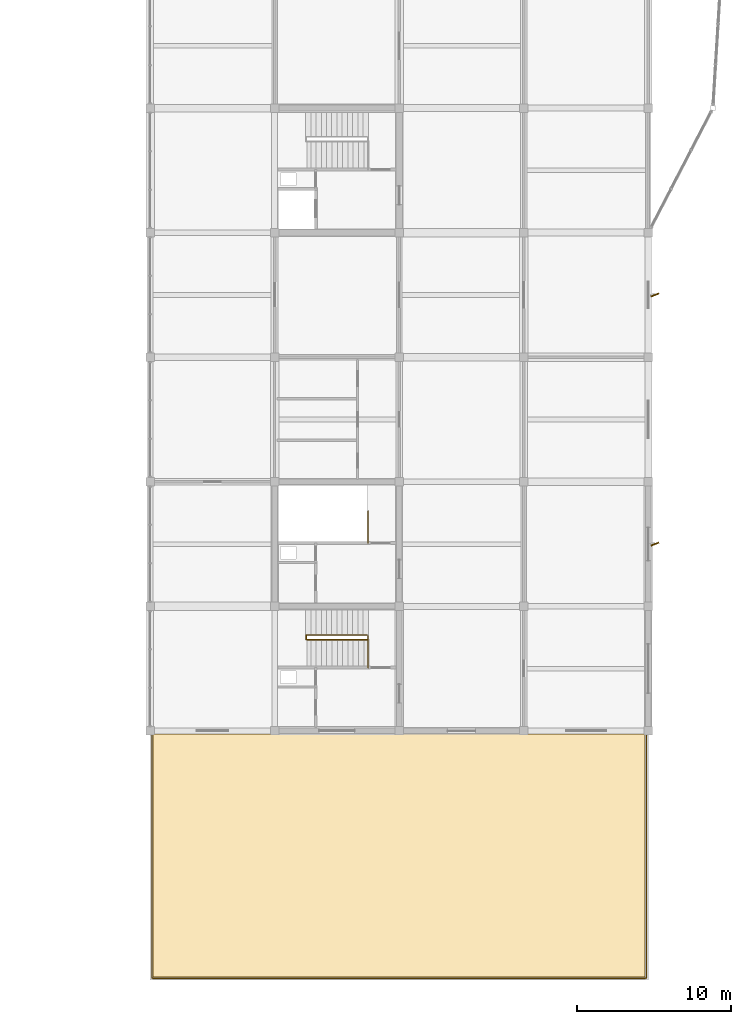
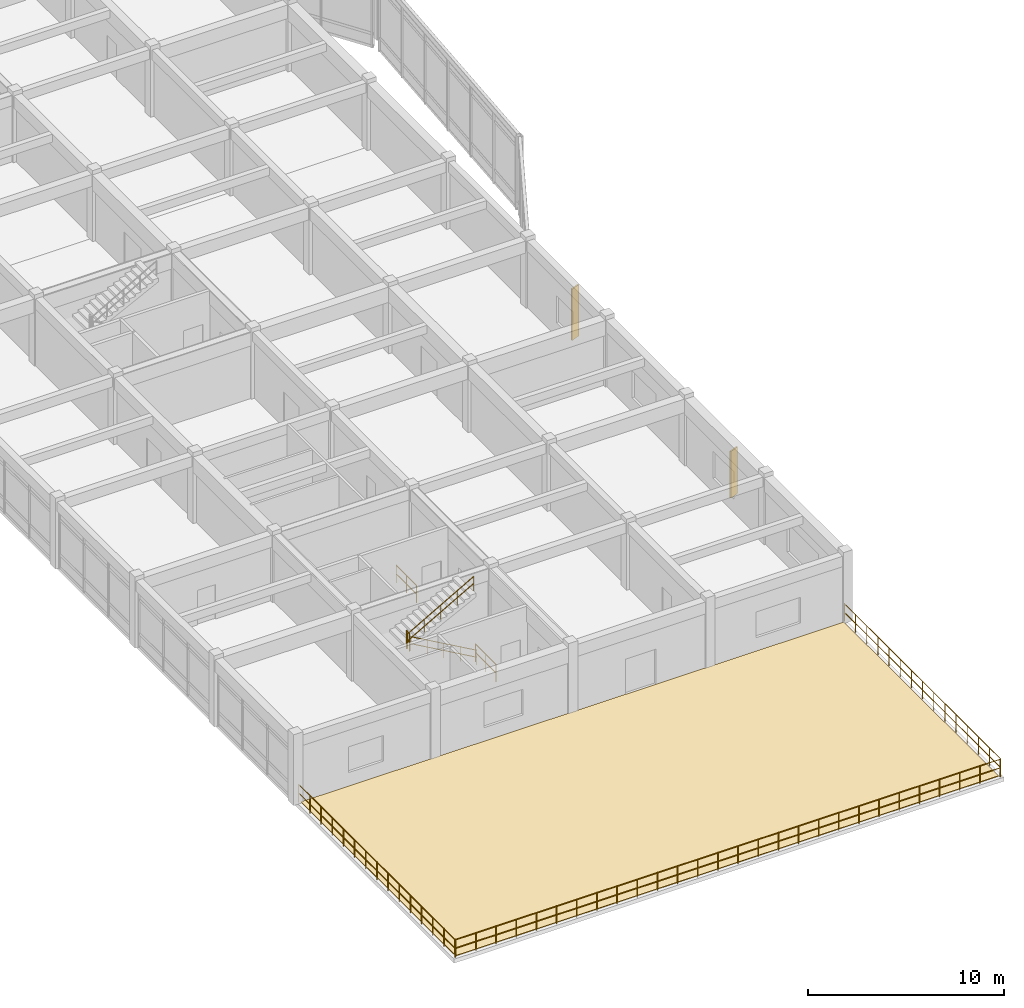
# One storey, part 32 of 33: 8 railings, 2 shading devices, 1 covering.
"""IFC4 building model written with IfcOpenShell, lengths in metres."""

import ifcopenshell
import ifcopenshell.guid

model = None  # the IFC model being written
_history = None  # IfcOwnerHistory: only IFC2X3 demands one
_inside = {}  # id of a spatial element -> (the spatial element, [elements in it])
_under = {}  # id of a project, library or spatial element -> (it, [spatial elements below it])
_declared = {}  # id of a project -> (the project, [libraries it declares])
_typed = {}  # id of a type object -> (the type object, [elements of that type])
_made_of = {}  # id of a material, layer set ... -> (it, [elements and type objects made of it])


def new_model(schema):
    """Start an empty IFC model of exactly this schema.

    Asked for "IFC4X3", IfcOpenShell would pick the latest addendum, in which some entities
    have other attributes; the version numbers below select the first issue.
    IFC2X3 requires an IfcOwnerHistory on every rooted entity: one is made here for all.
    """
    global model, _history
    if schema == "IFC4X3":
        model = ifcopenshell.file(schema_version=(4, 3, 0, 0))
    else:
        model = ifcopenshell.file(schema=schema)
    _inside.clear()
    _under.clear()
    _declared.clear()
    _typed.clear()
    _made_of.clear()
    _history = None
    if model.schema == "IFC2X3":
        org = make("IfcOrganization", Name="unknown")
        user = make(
            "IfcPersonAndOrganization",
            ThePerson=make("IfcPerson", FamilyName="unknown"),
            TheOrganization=org,
        )
        app = make(
            "IfcApplication",
            ApplicationDeveloper=org,
            Version="unknown",
            ApplicationFullName="unknown",
            ApplicationIdentifier="unknown",
        )
        _history = make(
            "IfcOwnerHistory",
            OwningUser=user,
            OwningApplication=app,
            ChangeAction="ADDED",
            CreationDate=0,
        )
    return model


def make(cls, **values):
    """One entity of the class cls with the attributes given. An attribute that is None is left unset."""
    return model.create_entity(
        cls, **{name: value for name, value in values.items() if value is not None}
    )


def rooted(cls, **values):
    """An entity with a GlobalId (a new one), such as an element, a storey or a relation."""
    return make(cls, GlobalId=ifcopenshell.guid.new(), OwnerHistory=_history, **values)


def si_unit(unit_type, name, prefix=None):
    """IfcSIUnit, for example si_unit("LENGTHUNIT", "METRE", prefix="MILLI")."""
    return make("IfcSIUnit", UnitType=unit_type, Prefix=prefix, Name=name)


def assignment(units):
    """IfcUnitAssignment: the units of a project."""
    return None if units is None else make("IfcUnitAssignment", Units=units)


def point(xyz):
    """IfcCartesianPoint."""
    return None if xyz is None else make("IfcCartesianPoint", Coordinates=xyz)


def direction(xyz):
    """IfcDirection."""
    return None if xyz is None else make("IfcDirection", DirectionRatios=xyz)


def frame(location, z_axis=None, x_axis=None):
    """IfcAxis2Placement3D, a coordinate frame: its origin and axes. An axis left out is left unset."""
    return make(
        "IfcAxis2Placement3D",
        Location=point(location),
        Axis=direction(z_axis),
        RefDirection=direction(x_axis),
    )


def frame_2d(location, x_axis=None):
    """IfcAxis2Placement2D, a coordinate frame in the plane: its origin and x axis."""
    return make(
        "IfcAxis2Placement2D", Location=point(location), RefDirection=direction(x_axis)
    )


def origin():
    """The frame at (0, 0, 0) with its axes left unset."""
    return frame((0.0, 0.0, 0.0))


def origin_2d():
    """The frame at (0, 0) in the plane with its x axis left unset."""
    return frame_2d((0.0, 0.0))


def place(relative_to, where):
    """IfcLocalPlacement: puts the frame where relative to a parent placement (None: the world)."""
    return make(
        "IfcLocalPlacement", PlacementRelTo=relative_to, RelativePlacement=where
    )


def context(
    kind, dimensions, precision=None, world=None, true_north=None, identifier=None
):
    """IfcGeometricRepresentationContext, for example the 3D "Model" context."""
    return make(
        "IfcGeometricRepresentationContext",
        ContextIdentifier=identifier,
        ContextType=kind,
        CoordinateSpaceDimension=dimensions,
        Precision=precision,
        WorldCoordinateSystem=world,
        TrueNorth=true_north,
    )


def subcontext(parent, identifier, kind, view, scale=None):
    """IfcGeometricRepresentationSubContext, for example "Body" below "Model"."""
    return make(
        "IfcGeometricRepresentationSubContext",
        ContextIdentifier=identifier,
        ContextType=kind,
        ParentContext=parent,
        TargetScale=scale,
        TargetView=view,
    )


def project(units=None, contexts=None):
    """IfcProject with its units and contexts."""
    return rooted(
        "IfcProject",
        Name="project",
        RepresentationContexts=contexts,
        UnitsInContext=assignment(units),
    )


def spatial(cls, under=None, at=None, **own):
    """A site, building, storey or space (cls), placed at a placement, below another one or the project."""
    s = rooted(cls, ObjectPlacement=at, **own)
    if under is not None:
        _under.setdefault(under.id(), (under, []))[1].append(s)
    return s


def polyline(points):
    """IfcPolyline through the points."""
    return make("IfcPolyline", Points=[point(p) for p in points])


def profile(cls, at=None, kind="AREA", **sizes):
    """A parametric profile (cls). Its sizes go by their IFC names, for example OverallWidth=200.0."""
    return make(cls, ProfileType=kind, Position=at, **sizes)


def rectangle(**sizes):
    """IfcRectangleProfileDef."""
    return profile("IfcRectangleProfileDef", **sizes)


def circle(**sizes):
    """IfcCircleProfileDef."""
    return profile("IfcCircleProfileDef", **sizes)


def outline(outer, holes=None, kind="AREA"):
    """IfcArbitraryClosedProfileDef: a profile drawn as a closed curve; with holes, ...WithVoids."""
    if holes is None:
        return make("IfcArbitraryClosedProfileDef", ProfileType=kind, OuterCurve=outer)
    return make(
        "IfcArbitraryProfileDefWithVoids",
        ProfileType=kind,
        OuterCurve=outer,
        InnerCurves=holes,
    )


def extrude(swept, where, along, depth):
    """IfcExtrudedAreaSolid: the profile swept, set in the frame where, extruded along a direction by depth."""
    return make(
        "IfcExtrudedAreaSolid",
        SweptArea=swept,
        Position=where,
        ExtrudedDirection=direction(along),
        Depth=depth,
    )


def shape(context_of_items, identifier, shape_type, items):
    """IfcShapeRepresentation: the items that make up one representation, for example the "Body"."""
    return make(
        "IfcShapeRepresentation",
        ContextOfItems=context_of_items,
        RepresentationIdentifier=identifier,
        RepresentationType=shape_type,
        Items=items,
    )


def material(Name=None, Category=None):
    """IfcMaterial."""
    return make("IfcMaterial", Name=Name, Category=Category)


def layer(
    of_material, thickness, ventilated=None, Name=None, Category=None, Priority=None
):
    """IfcMaterialLayer: one layer of a wall or slab, of a material (None: an air gap)."""
    return make(
        "IfcMaterialLayer",
        Material=of_material,
        LayerThickness=thickness,
        IsVentilated=ventilated,
        Name=Name,
        Category=Category,
        Priority=Priority,
    )


def layer_set(layers, Name=None):
    """IfcMaterialLayerSet."""
    return make("IfcMaterialLayerSet", MaterialLayers=layers, LayerSetName=Name)


def made_of(thing, what):
    """Note that an element or type object is made of a material, layer set ...; save() writes the relation."""
    if what is not None:
        _made_of.setdefault(what.id(), (what, []))[1].append(thing)
    return thing


def type_object(cls, material=None, **own):
    """A type object (cls), such as IfcWallType, which elements share."""
    return made_of(rooted(cls, **own), material)


def element(
    cls,
    number,
    at=None,
    inside=None,
    cuts=None,
    type_object=None,
    material=None,
    context=None,
    identifier="Body",
    shape_type=None,
    held_by="IfcProductDefinitionShape",
    body=None,
    shapes=None,
    **own,
):
    """One element of the class cls, such as IfcWall. Its Tag is "e" and its number.

    at: its placement. inside: the storey or other place that contains it. cuts: it is an
    opening in that element (IfcRelVoidsElement). A single representation is given by context,
    identifier, shape_type and body (its items); several are given by shapes. held_by: the class
    of the entity that holds the representations. save() writes the other relations.
    """
    e = rooted(cls, Tag="e%d" % number, ObjectPlacement=at, **own)
    if body is not None:
        shapes = [shape(context, identifier, shape_type, body)]
    if shapes is not None:
        e.Representation = make(held_by, Representations=shapes)
    if inside is not None:
        _inside.setdefault(inside.id(), (inside, []))[1].append(e)
    if cuts is not None:
        rooted(
            "IfcRelVoidsElement", RelatingBuildingElement=cuts, RelatedOpeningElement=e
        )
    if type_object is not None:
        _typed.setdefault(type_object.id(), (type_object, []))[1].append(e)
    return made_of(e, material)


def aggregate(whole, parts):
    """IfcRelAggregates: a whole, such as a stair, and the parts it consists of."""
    return rooted("IfcRelAggregates", RelatingObject=whole, RelatedObjects=parts)


def save(model, path):
    """Write the relations noted so far, then the file.

    IfcRelAggregates (storeys below a building ...), IfcRelContainedInSpatialStructure (elements
    in a storey), IfcRelDefinesByType, IfcRelAssociatesMaterial and IfcRelDeclares: one each for
    every whole, place, type object, material and project.
    """
    for whole, parts in _under.values():
        aggregate(whole, parts)
    for where, things in _inside.values():
        rooted(
            "IfcRelContainedInSpatialStructure",
            RelatedElements=things,
            RelatingStructure=where,
        )
    for kind, things in _typed.values():
        rooted("IfcRelDefinesByType", RelatedObjects=things, RelatingType=kind)
    for what, things in _made_of.values():
        rooted("IfcRelAssociatesMaterial", RelatedObjects=things, RelatingMaterial=what)
    for by, libraries in _declared.values():
        rooted("IfcRelDeclares", RelatingContext=by, RelatedDefinitions=libraries)
    model.write(path)


model = new_model("IFC4")

# Units and contexts
model_context = context("Model", 3, precision=1e-05, world=origin(), true_north=direction((0.0, 1.0)))
body_context = subcontext(model_context, "Body", "Model", "MODEL_VIEW")
ifc_project = project(units=[si_unit("LENGTHUNIT", "METRE"), si_unit("AREAUNIT", "SQUARE_METRE"), si_unit("VOLUMEUNIT", "CUBIC_METRE"), si_unit("PLANEANGLEUNIT", "RADIAN"), si_unit("MASSUNIT", "GRAM", prefix="KILO")], contexts=[model_context])

# Site, building, storey
site_placement = place(None, origin())
site = spatial("IfcSite", under=ifc_project, at=site_placement, CompositionType="ELEMENT")
building_placement = place(site_placement, origin())
building = spatial("IfcBuilding", under=site, at=building_placement, Name="Vaudrelin Polytechnic", CompositionType="ELEMENT")
storey_placement = place(building_placement, frame((0.0, 0.0, 27.3701171875)))
storey = spatial("IfcBuildingStorey", under=building, at=storey_placement, Name="L06", CompositionType="ELEMENT", Elevation=27.3701171875)

# Railings
ifc_material_1 = material(Name="Stainless steel AISI 316L", Category="steel")
railing_type_1 = type_object("IfcRailingType", Name="ENV-GR-TER", PredefinedType="GUARDRAIL", material=ifc_material_1)
railing_1_placement = place(storey_placement, frame((137.820068359375, 16.320068359375, 0.0)))
element("IfcRailing", 1, at=railing_1_placement, inside=storey, type_object=railing_type_1, Name="Terrace guardrail GRD-T6-W", PredefinedType="GUARDRAIL", context=body_context, shape_type="SweptSolid", body=[
    extrude(circle(Radius=0.02392578125, at=origin_2d()), frame((0.0, 0.023193359375, 1.09619140625), z_axis=(0.0, 1.0, 0.0), x_axis=(-1.0, 0.0, 0.0)), (0.0, 0.0, 1.0), 15.913818359375),
    extrude(circle(Radius=0.02392578125, at=origin_2d()), frame((0.0, 0.023193359375, 0.56005859375), z_axis=(0.0, 1.0, 0.0), x_axis=(-1.0, 0.0, 0.0)), (0.0, 0.0, 1.0), 15.913818359375),
    extrude(circle(Radius=0.02099609375, at=origin_2d()), origin(), (0.0, 0.0, 1.0), 1.1201171875),
    extrude(circle(Radius=0.02099609375, at=origin_2d()), frame((0.0, 1.139892578125, 0.0)), (0.0, 0.0, 1.0), 1.1201171875),
    extrude(circle(Radius=0.02099609375, at=origin_2d()), frame((0.0, 2.280029296875, 0.0)), (0.0, 0.0, 1.0), 1.1201171875),
    extrude(circle(Radius=0.02099609375, at=origin_2d()), frame((0.0, 3.419921875, 0.0)), (0.0, 0.0, 1.0), 1.1201171875),
    extrude(circle(Radius=0.02099609375, at=origin_2d()), frame((0.0, 4.56005859375, 0.0)), (0.0, 0.0, 1.0), 1.1201171875),
    extrude(circle(Radius=0.02099609375, at=origin_2d()), frame((0.0, 5.699951171875, 0.0)), (0.0, 0.0, 1.0), 1.1201171875),
    extrude(circle(Radius=0.02099609375, at=origin_2d()), frame((0.0, 6.840087890625, 0.0)), (0.0, 0.0, 1.0), 1.1201171875),
    extrude(circle(Radius=0.02099609375, at=origin_2d()), frame((0.0, 7.97998046875, 0.0)), (0.0, 0.0, 1.0), 1.1201171875),
    extrude(circle(Radius=0.02099609375, at=origin_2d()), frame((0.0, 9.119873046875, 0.0)), (0.0, 0.0, 1.0), 1.1201171875),
    extrude(circle(Radius=0.02099609375, at=origin_2d()), frame((0.0, 10.260009765625, 0.0)), (0.0, 0.0, 1.0), 1.1201171875),
    extrude(circle(Radius=0.02099609375, at=origin_2d()), frame((0.0, 11.39990234375, 0.0)), (0.0, 0.0, 1.0), 1.1201171875),
    extrude(circle(Radius=0.02099609375, at=origin_2d()), frame((0.0, 12.5400390625, 0.0)), (0.0, 0.0, 1.0), 1.1201171875),
    extrude(circle(Radius=0.02099609375, at=origin_2d()), frame((0.0, 13.679931640625, 0.0)), (0.0, 0.0, 1.0), 1.1201171875),
    extrude(circle(Radius=0.02099609375, at=origin_2d()), frame((0.0, 14.820068359375, 0.0)), (0.0, 0.0, 1.0), 1.1201171875),
    extrude(circle(Radius=0.02099609375, at=origin_2d()), frame((0.0, 15.9599609375, 0.0)), (0.0, 0.0, 1.0), 1.1201171875),
])
railing_2_placement = place(storey_placement, frame((137.860107421875, 16.320068359375, 0.0)))
element("IfcRailing", 2, at=railing_2_placement, inside=storey, type_object=railing_type_1, Name="Terrace guardrail GRD-T6-S", PredefinedType="GUARDRAIL", context=body_context, shape_type="SweptSolid", body=[
    extrude(circle(Radius=0.02392578125, at=origin_2d()), frame((0.023193359375, 0.0, 1.09619140625), z_axis=(1.0, 0.0, 0.0), x_axis=(0.0, 1.0, 0.0)), (0.0, 0.0, 1.0), 32.03369140625),
    extrude(circle(Radius=0.02392578125, at=origin_2d()), frame((0.023193359375, 0.0, 0.56005859375), z_axis=(1.0, 0.0, 0.0), x_axis=(0.0, 1.0, 0.0)), (0.0, 0.0, 1.0), 32.03369140625),
    extrude(circle(Radius=0.02099609375, at=origin_2d()), origin(), (0.0, 0.0, 1.0), 1.1201171875),
    extrude(circle(Radius=0.02099609375, at=origin_2d()), frame((1.188232421875, 0.0, 0.0)), (0.0, 0.0, 1.0), 1.1201171875),
    extrude(circle(Radius=0.02099609375, at=origin_2d()), frame((2.376220703125, 0.0, 0.0)), (0.0, 0.0, 1.0), 1.1201171875),
    extrude(circle(Radius=0.02099609375, at=origin_2d()), frame((3.564453125, 0.0, 0.0)), (0.0, 0.0, 1.0), 1.1201171875),
    extrude(circle(Radius=0.02099609375, at=origin_2d()), frame((4.752685546875, 0.0, 0.0)), (0.0, 0.0, 1.0), 1.1201171875),
    extrude(circle(Radius=0.02099609375, at=origin_2d()), frame((5.940673828125, 0.0, 0.0)), (0.0, 0.0, 1.0), 1.1201171875),
    extrude(circle(Radius=0.02099609375, at=origin_2d()), frame((7.12890625, 0.0, 0.0)), (0.0, 0.0, 1.0), 1.1201171875),
    extrude(circle(Radius=0.02099609375, at=origin_2d()), frame((8.31689453125, 0.0, 0.0)), (0.0, 0.0, 1.0), 1.1201171875),
    extrude(circle(Radius=0.02099609375, at=origin_2d()), frame((9.505126953125, 0.0, 0.0)), (0.0, 0.0, 1.0), 1.1201171875),
    extrude(circle(Radius=0.02099609375, at=origin_2d()), frame((10.693359375, 0.0, 0.0)), (0.0, 0.0, 1.0), 1.1201171875),
    extrude(circle(Radius=0.02099609375, at=origin_2d()), frame((11.88134765625, 0.0, 0.0)), (0.0, 0.0, 1.0), 1.1201171875),
    extrude(circle(Radius=0.02099609375, at=origin_2d()), frame((13.069580078125, 0.0, 0.0)), (0.0, 0.0, 1.0), 1.1201171875),
    extrude(circle(Radius=0.02099609375, at=origin_2d()), frame((14.2578125, 0.0, 0.0)), (0.0, 0.0, 1.0), 1.1201171875),
    extrude(circle(Radius=0.02099609375, at=origin_2d()), frame((15.44580078125, 0.0, 0.0)), (0.0, 0.0, 1.0), 1.1201171875),
    extrude(circle(Radius=0.02099609375, at=origin_2d()), frame((16.634033203125, 0.0, 0.0)), (0.0, 0.0, 1.0), 1.1201171875),
    extrude(circle(Radius=0.02099609375, at=origin_2d()), frame((17.822021484375, 0.0, 0.0)), (0.0, 0.0, 1.0), 1.1201171875),
    extrude(circle(Radius=0.02099609375, at=origin_2d()), frame((19.01025390625, 0.0, 0.0)), (0.0, 0.0, 1.0), 1.1201171875),
    extrude(circle(Radius=0.02099609375, at=origin_2d()), frame((20.198486328125, 0.0, 0.0)), (0.0, 0.0, 1.0), 1.1201171875),
    extrude(circle(Radius=0.02099609375, at=origin_2d()), frame((21.386474609375, 0.0, 0.0)), (0.0, 0.0, 1.0), 1.1201171875),
    extrude(circle(Radius=0.02099609375, at=origin_2d()), frame((22.57470703125, 0.0, 0.0)), (0.0, 0.0, 1.0), 1.1201171875),
    extrude(circle(Radius=0.02099609375, at=origin_2d()), frame((23.762939453125, 0.0, 0.0)), (0.0, 0.0, 1.0), 1.1201171875),
    extrude(circle(Radius=0.02099609375, at=origin_2d()), frame((24.950927734375, 0.0, 0.0)), (0.0, 0.0, 1.0), 1.1201171875),
    extrude(circle(Radius=0.02099609375, at=origin_2d()), frame((26.13916015625, 0.0, 0.0)), (0.0, 0.0, 1.0), 1.1201171875),
    extrude(circle(Radius=0.02099609375, at=origin_2d()), frame((27.3271484375, 0.0, 0.0)), (0.0, 0.0, 1.0), 1.1201171875),
    extrude(circle(Radius=0.02099609375, at=origin_2d()), frame((28.515380859375, 0.0, 0.0)), (0.0, 0.0, 1.0), 1.1201171875),
    extrude(circle(Radius=0.02099609375, at=origin_2d()), frame((29.70361328125, 0.0, 0.0)), (0.0, 0.0, 1.0), 1.1201171875),
    extrude(circle(Radius=0.02099609375, at=origin_2d()), frame((30.8916015625, 0.0, 0.0)), (0.0, 0.0, 1.0), 1.1201171875),
    extrude(circle(Radius=0.02099609375, at=origin_2d()), frame((32.079833984375, 0.0, 0.0)), (0.0, 0.0, 1.0), 1.1201171875),
])
railing_3_placement = place(storey_placement, frame((169.97998046875, 16.320068359375, 0.0)))
element("IfcRailing", 3, at=railing_3_placement, inside=storey, type_object=railing_type_1, Name="Terrace guardrail GRD-T6-E", PredefinedType="GUARDRAIL", context=body_context, shape_type="SweptSolid", body=[
    extrude(circle(Radius=0.02392578125, at=origin_2d()), frame((0.0, 0.023193359375, 1.09619140625), z_axis=(0.0, 1.0, 0.0), x_axis=(-1.0, 0.0, 0.0)), (0.0, 0.0, 1.0), 15.913818359375),
    extrude(circle(Radius=0.02392578125, at=origin_2d()), frame((0.0, 0.023193359375, 0.56005859375), z_axis=(0.0, 1.0, 0.0), x_axis=(-1.0, 0.0, 0.0)), (0.0, 0.0, 1.0), 15.913818359375),
    extrude(circle(Radius=0.02099609375, at=origin_2d()), origin(), (0.0, 0.0, 1.0), 1.1201171875),
    extrude(circle(Radius=0.02099609375, at=origin_2d()), frame((0.0, 1.139892578125, 0.0)), (0.0, 0.0, 1.0), 1.1201171875),
    extrude(circle(Radius=0.02099609375, at=origin_2d()), frame((0.0, 2.280029296875, 0.0)), (0.0, 0.0, 1.0), 1.1201171875),
    extrude(circle(Radius=0.02099609375, at=origin_2d()), frame((0.0, 3.419921875, 0.0)), (0.0, 0.0, 1.0), 1.1201171875),
    extrude(circle(Radius=0.02099609375, at=origin_2d()), frame((0.0, 4.56005859375, 0.0)), (0.0, 0.0, 1.0), 1.1201171875),
    extrude(circle(Radius=0.02099609375, at=origin_2d()), frame((0.0, 5.699951171875, 0.0)), (0.0, 0.0, 1.0), 1.1201171875),
    extrude(circle(Radius=0.02099609375, at=origin_2d()), frame((0.0, 6.840087890625, 0.0)), (0.0, 0.0, 1.0), 1.1201171875),
    extrude(circle(Radius=0.02099609375, at=origin_2d()), frame((0.0, 7.97998046875, 0.0)), (0.0, 0.0, 1.0), 1.1201171875),
    extrude(circle(Radius=0.02099609375, at=origin_2d()), frame((0.0, 9.119873046875, 0.0)), (0.0, 0.0, 1.0), 1.1201171875),
    extrude(circle(Radius=0.02099609375, at=origin_2d()), frame((0.0, 10.260009765625, 0.0)), (0.0, 0.0, 1.0), 1.1201171875),
    extrude(circle(Radius=0.02099609375, at=origin_2d()), frame((0.0, 11.39990234375, 0.0)), (0.0, 0.0, 1.0), 1.1201171875),
    extrude(circle(Radius=0.02099609375, at=origin_2d()), frame((0.0, 12.5400390625, 0.0)), (0.0, 0.0, 1.0), 1.1201171875),
    extrude(circle(Radius=0.02099609375, at=origin_2d()), frame((0.0, 13.679931640625, 0.0)), (0.0, 0.0, 1.0), 1.1201171875),
    extrude(circle(Radius=0.02099609375, at=origin_2d()), frame((0.0, 14.820068359375, 0.0)), (0.0, 0.0, 1.0), 1.1201171875),
    extrude(circle(Radius=0.02099609375, at=origin_2d()), frame((0.0, 15.9599609375, 0.0)), (0.0, 0.0, 1.0), 1.1201171875),
])

# Covering
ifc_material_2 = material(Name="SBS-modified bitumen snow-rated membrane", Category="membrane")
ifc_layer = layer(ifc_material_2, 0.034912109375)
ifc_layer_set = layer_set([ifc_layer], Name="SBS-modified bitumen snow-rated membrane")
covering_type = type_object("IfcCoveringType", Name="ENV-RFG-MEM", PredefinedType="ROOFING", material=ifc_layer_set)
covering_placement = place(storey_placement, origin())
element("IfcCovering", 4, at=covering_placement, inside=storey, type_object=covering_type, Name="Terrace SBS membrane zone RFG-07", PredefinedType="ROOFING", context=body_context, shape_type="SweptSolid", body=[
    extrude(outline(polyline([(137.89990234375, 16.39990234375), (169.89990234375, 16.39990234375), (169.89990234375, 32.199951171875), (137.89990234375, 32.199951171875), (137.89990234375, 16.39990234375)])), origin(), (0.0, 0.0, 1.0), 0.034912109375),
])

# Shading devices
ifc_material_3 = material(Name="Anodised perforated aluminium AA 5005", Category="aluminium")
shading_device_type = type_object("IfcShadingDeviceType", Name="ENV-SF-FIN1", PredefinedType="USERDEFINED", material=ifc_material_3)
shading_device_1_placement = place(storey_placement, frame((170.534912109375, 44.550048828125, 0.19970703125), z_axis=(0.0, 0.0, 1.0), x_axis=(0.927183854567, 0.374606593416, 0.0)))
element("IfcShadingDevice", 5, at=shading_device_1_placement, inside=storey, type_object=shading_device_type, Name="Perforated solar fin SF-049", ObjectType="SOLAR FIN", PredefinedType="USERDEFINED", context=body_context, shape_type="SweptSolid", body=[
    extrude(rectangle(XDim=0.550048828125, YDim=0.080078125, at=origin_2d()), origin(), (0.0, 0.0, 1.0), 2.912109375),
])
shading_device_2_placement = place(storey_placement, frame((170.534912109375, 60.75, 0.19970703125), z_axis=(0.0, 0.0, 1.0), x_axis=(0.927183854567, 0.374606593416, 0.0)))
element("IfcShadingDevice", 6, at=shading_device_2_placement, inside=storey, type_object=shading_device_type, Name="Perforated solar fin SF-050", ObjectType="SOLAR FIN", PredefinedType="USERDEFINED", context=body_context, shape_type="SweptSolid", body=[
    extrude(rectangle(XDim=0.550048828125, YDim=0.080078125, at=origin_2d()), origin(), (0.0, 0.0, 1.0), 3.199951171875),
])

# Railings
ifc_material_4 = material(Name="Brushed stainless steel AISI 304", Category="steel")
railing_type_2 = type_object("IfcRailingType", Name="RAL-GR-INT", PredefinedType="GUARDRAIL", material=ifc_material_4)
railing_4_placement = place(storey_placement, frame((151.8798828125, 36.510009765625, 0.0)))
element("IfcRailing", 7, at=railing_4_placement, inside=storey, type_object=railing_type_2, Name="ST-08-L05 upper well guardrail", PredefinedType="GUARDRAIL", context=body_context, shape_type="SweptSolid", body=[
    extrude(circle(Radius=0.02392578125, at=origin_2d()), frame((0.0, 0.023193359375, 1.09619140625), z_axis=(0.0, 1.0, 0.0), x_axis=(-1.0, 0.0, 0.0)), (0.0, 0.0, 1.0), 2.02392578125),
    extrude(circle(Radius=0.02392578125, at=origin_2d()), frame((0.0, 0.023193359375, 0.56005859375), z_axis=(0.0, 1.0, 0.0), x_axis=(-1.0, 0.0, 0.0)), (0.0, 0.0, 1.0), 2.02392578125),
    extrude(circle(Radius=0.02099609375, at=origin_2d()), origin(), (0.0, 0.0, 1.0), 1.1201171875),
    extrude(circle(Radius=0.02099609375, at=origin_2d()), frame((0.0, 1.03515625, 0.0)), (0.0, 0.0, 1.0), 1.1201171875),
    extrude(circle(Radius=0.02099609375, at=origin_2d()), frame((0.0, 2.070068359375, 0.0)), (0.0, 0.0, 1.0), 1.1201171875),
])
railing_5_placement = place(storey_placement, frame((147.85009765625, 38.340087890625, 2.2099609375)))
element("IfcRailing", 8, at=railing_5_placement, inside=storey, type_object=railing_type_2, Name="ST-08-L06 landing well guardrail", PredefinedType="GUARDRAIL", context=body_context, shape_type="SweptSolid", body=[
    extrude(circle(Radius=0.02392578125, at=origin_2d()), frame((0.0, 0.023193359375, 1.09619140625), z_axis=(0.0, 1.0, 0.0), x_axis=(-1.0, 0.0, 0.0)), (0.0, 0.0, 1.0), 0.23388671875),
    extrude(circle(Radius=0.02392578125, at=origin_2d()), frame((0.0, 0.023193359375, 0.56005859375), z_axis=(0.0, 1.0, 0.0), x_axis=(-1.0, 0.0, 0.0)), (0.0, 0.0, 1.0), 0.23388671875),
    extrude(circle(Radius=0.02099609375, at=origin_2d()), origin(), (0.0, 0.0, 1.0), 1.1201171875),
    extrude(circle(Radius=0.02099609375, at=origin_2d()), frame((0.0, 0.280029296875, 0.0)), (0.0, 0.0, 1.0), 1.1201171875),
])
railing_6_placement = place(storey_placement, frame((151.8798828125, 44.610107421875, 0.0)))
element("IfcRailing", 9, at=railing_6_placement, inside=storey, type_object=railing_type_2, Name="ST-12-L05 upper well guardrail", PredefinedType="GUARDRAIL", context=body_context, shape_type="SweptSolid", body=[
    extrude(circle(Radius=0.02392578125, at=origin_2d()), frame((0.0, 0.023193359375, 1.09619140625), z_axis=(0.0, 1.0, 0.0), x_axis=(-1.0, 0.0, 0.0)), (0.0, 0.0, 1.0), 2.023681640625),
    extrude(circle(Radius=0.02392578125, at=origin_2d()), frame((0.0, 0.023193359375, 0.56005859375), z_axis=(0.0, 1.0, 0.0), x_axis=(-1.0, 0.0, 0.0)), (0.0, 0.0, 1.0), 2.023681640625),
    extrude(circle(Radius=0.02099609375, at=origin_2d()), origin(), (0.0, 0.0, 1.0), 1.1201171875),
    extrude(circle(Radius=0.02099609375, at=origin_2d()), frame((0.0, 1.034912109375, 0.0)), (0.0, 0.0, 1.0), 1.1201171875),
    extrude(circle(Radius=0.02099609375, at=origin_2d()), frame((0.0, 2.06982421875, 0.0)), (0.0, 0.0, 1.0), 1.1201171875),
])
railing_type_3 = type_object("IfcRailingType", Name="RAL-HR-STR", PredefinedType="HANDRAIL", material=ifc_material_4)
railing_7_placement = place(storey_placement, frame((151.800048828125, 38.330078125, 0.0)))
element("IfcRailing", 10, at=railing_7_placement, inside=storey, type_object=railing_type_3, Name="ST-08-L06 flight 1 handrail", PredefinedType="HANDRAIL", context=body_context, shape_type="SweptSolid", body=[
    extrude(circle(Radius=0.02392578125, at=origin_2d()), frame((-0.02001953125, 0.0, 0.9072265625), z_axis=(-0.869489581884, 0.0, 0.493951279981), x_axis=(0.0, -1.0, 0.0)), (0.0, 0.0, 1.0), 4.427734375),
    extrude(circle(Radius=0.02392578125, at=origin_2d()), frame((-0.02001953125, 0.0, 0.471435546875), z_axis=(-0.869489581884, 0.0, 0.493951279981), x_axis=(0.0, -1.0, 0.0)), (0.0, 0.0, 1.0), 4.427734375),
    extrude(circle(Radius=0.02099609375, at=origin_2d()), origin(), (0.0, 0.0, 1.0), 0.919921875),
    extrude(circle(Radius=0.02099609375, at=origin_2d()), frame((-0.97265625, 0.0, 0.552490234375)), (0.0, 0.0, 1.0), 0.919921875),
    extrude(circle(Radius=0.02099609375, at=origin_2d()), frame((-1.945068359375, 0.0, 1.10498046875)), (0.0, 0.0, 1.0), 0.919921875),
    extrude(circle(Radius=0.02099609375, at=origin_2d()), frame((-2.91748046875, 0.0, 1.657470703125)), (0.0, 0.0, 1.0), 0.919921875),
    extrude(circle(Radius=0.02099609375, at=origin_2d()), frame((-3.89013671875, 0.0, 2.2099609375)), (0.0, 0.0, 1.0), 0.919921875),
])
railing_8_placement = place(storey_placement, frame((147.909912109375, 38.6298828125, 2.2099609375)))
element("IfcRailing", 11, at=railing_8_placement, inside=storey, type_object=railing_type_3, Name="ST-08-L06 flight 2 handrail", PredefinedType="HANDRAIL", context=body_context, shape_type="SweptSolid", body=[
    extrude(circle(Radius=0.02392578125, at=origin_2d()), frame((0.02001953125, 0.0, 0.9072265625), z_axis=(0.869489581884, 0.0, 0.493951279981), x_axis=(0.0, 1.0, 0.0)), (0.0, 0.0, 1.0), 4.427734375),
    extrude(circle(Radius=0.02392578125, at=origin_2d()), frame((0.02001953125, 0.0, 0.471435546875), z_axis=(0.869489581884, 0.0, 0.493951279981), x_axis=(0.0, 1.0, 0.0)), (0.0, 0.0, 1.0), 4.427734375),
    extrude(circle(Radius=0.02099609375, at=origin_2d()), origin(), (0.0, 0.0, 1.0), 0.919921875),
    extrude(circle(Radius=0.02099609375, at=origin_2d()), frame((0.97265625, 0.0, 0.552490234375)), (0.0, 0.0, 1.0), 0.919921875),
    extrude(circle(Radius=0.02099609375, at=origin_2d()), frame((1.945068359375, 0.0, 1.10498046875)), (0.0, 0.0, 1.0), 0.919921875),
    extrude(circle(Radius=0.02099609375, at=origin_2d()), frame((2.91748046875, 0.0, 1.657470703125)), (0.0, 0.0, 1.0), 0.919921875),
    extrude(circle(Radius=0.02099609375, at=origin_2d()), frame((3.89013671875, 0.0, 2.2099609375)), (0.0, 0.0, 1.0), 0.919921875),
])

save(model, "model.ifc")
